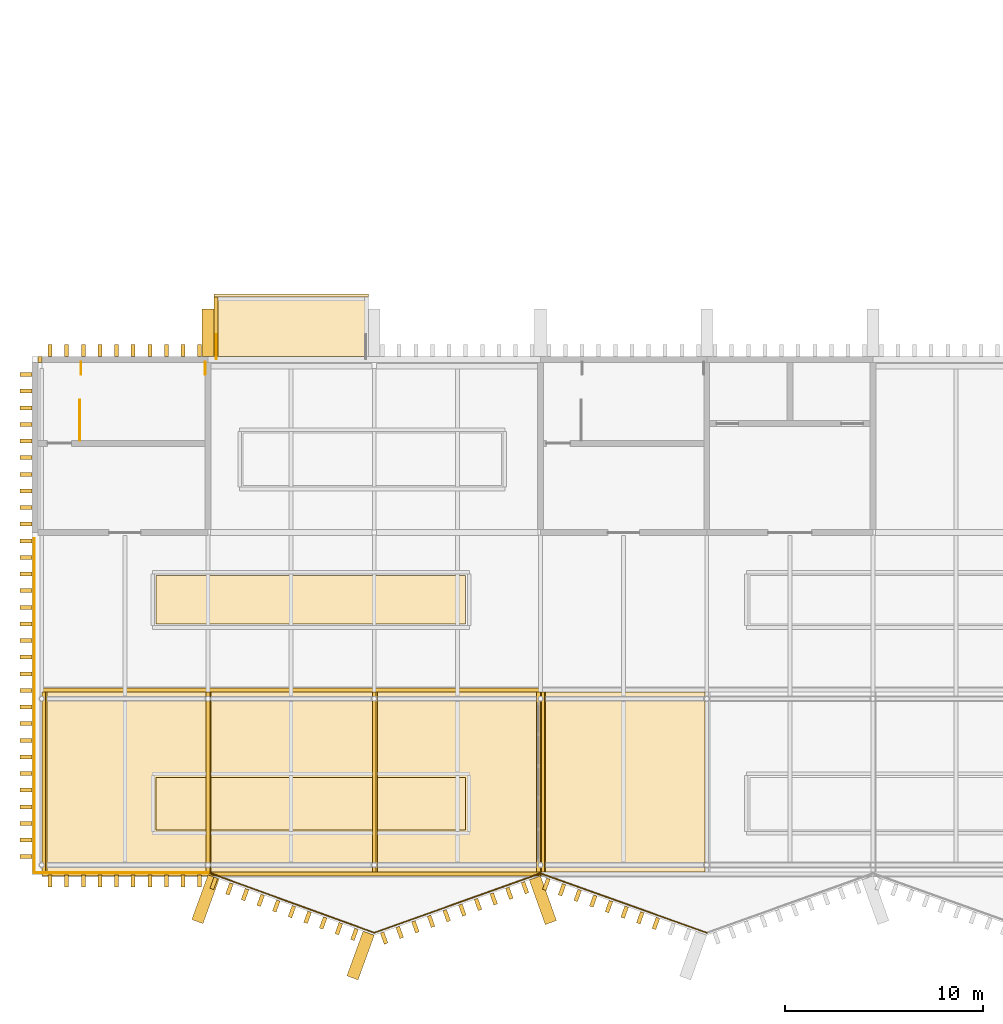
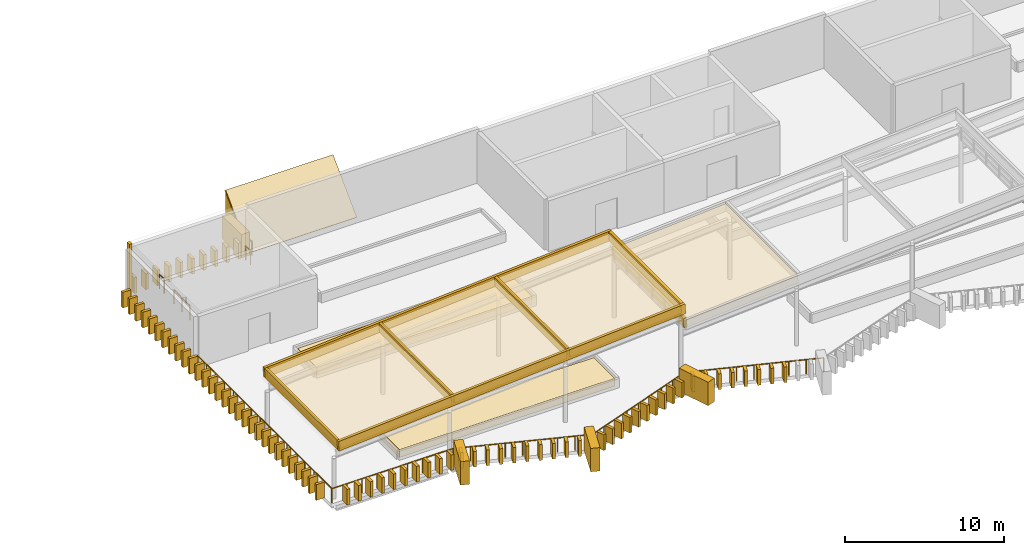
# One storey, part 43 of 51: 98 coverings, 9 railings.
"""IFC4 building model written with IfcOpenShell, lengths in metres."""

from ifc_helpers import new_model, si_unit, direction, frame, origin, origin_2d, place, context, subcontext, project, spatial, polyline, rectangle, circle, outline, extrude, material, layer, layer_set, type_object, element, save


model = new_model("IFC4")

# Units and contexts
model_context = context("Model", 3, precision=1e-05, world=origin(), true_north=direction((0.0, 1.0)))
body_context = subcontext(model_context, "Body", "Model", "MODEL_VIEW")
ifc_project = project(units=[si_unit("LENGTHUNIT", "METRE"), si_unit("AREAUNIT", "SQUARE_METRE"), si_unit("VOLUMEUNIT", "CUBIC_METRE"), si_unit("PLANEANGLEUNIT", "RADIAN"), si_unit("MASSUNIT", "GRAM", prefix="KILO")], contexts=[model_context])

# Site, building, storey
site_placement = place(None, origin())
site = spatial("IfcSite", under=ifc_project, at=site_placement, CompositionType="ELEMENT")
building_placement = place(site_placement, origin())
building = spatial("IfcBuilding", under=site, at=building_placement, Name="Cresset Court Congress Hotel", CompositionType="ELEMENT")
storey_placement = place(building_placement, frame((0.0, 0.0, 18.60009765625)))
storey = spatial("IfcBuildingStorey", under=building, at=storey_placement, Name="L04", CompositionType="ELEMENT", Elevation=18.60009765625)

# Railings
ifc_material_1 = material(Name="Steel and laminated glass", Category="steel")
railing_type_1 = type_object("IfcRailingType", Name="Guard 1100 steel and glass", PredefinedType="GUARDRAIL", material=ifc_material_1)
for number, where, name in (
    (1, (16.64990234375, 24.800048828125, 0.0), "Roof stair well guard 1"),
    (2, (10.380859375, 24.800048828125, 0.0), "Roof stair well guard 2"),
):
    element("IfcRailing", number, at=place(storey_placement, frame(where)), inside=storey, type_object=railing_type_1, Name=name, PredefinedType="GUARDRAIL", context=body_context, shape_type="SweptSolid", body=[
        extrude(circle(Radius=0.02392578125, at=origin_2d()), frame((0.0, 0.0, 1.076171875), z_axis=(0.0, 1.0, 0.0), x_axis=(-1.0, 0.0, 0.0)), (0.0, 0.0, 1.0), 0.599853515625),
        extrude(circle(Radius=0.02099609375, at=origin_2d()), origin(), (0.0, 0.0, 1.0), 1.052001953125),
        extrude(circle(Radius=0.02099609375, at=origin_2d()), frame((0.0, 0.599853515625, 0.0)), (0.0, 0.0, 1.0), 1.052001953125),
    ])
railing_1_placement = place(storey_placement, frame((10.330078125, 21.449951171875, 0.0)))
element("IfcRailing", 3, at=railing_1_placement, inside=storey, type_object=railing_type_1, Name="L04 ST-B1 top well guard 1", PredefinedType="GUARDRAIL", context=body_context, shape_type="SweptSolid", body=[
    extrude(circle(Radius=0.02392578125, at=origin_2d()), frame((0.0, 0.0, 1.076171875), z_axis=(0.0, 1.0, 0.0), x_axis=(-1.0, 0.0, 0.0)), (0.0, 0.0, 1.0), 2.050048828125),
    extrude(circle(Radius=0.02099609375, at=origin_2d()), origin(), (0.0, 0.0, 1.0), 1.052001953125),
    extrude(circle(Radius=0.02099609375, at=origin_2d()), frame((0.0, 1.02490234375, 0.0)), (0.0, 0.0, 1.0), 1.052001953125),
    extrude(circle(Radius=0.02099609375, at=origin_2d()), frame((0.0, 2.050048828125, 0.0)), (0.0, 0.0, 1.0), 1.052001953125),
])
ifc_material_2 = material(Name="Steel and laminated glass", Category="steel")
railing_type_2 = type_object("IfcRailingType", Name="Guard 1100 steel and glass external", PredefinedType="GUARDRAIL", material=ifc_material_2)
railing_2_placement = place(storey_placement, frame((42.0, -3.422607421875, 0.0)))
element("IfcRailing", 4, at=railing_2_placement, inside=storey, type_object=railing_type_2, Name="Roof garden guard 14", PredefinedType="GUARDRAIL", context=body_context, shape_type="SweptSolid", body=[
    extrude(circle(Radius=0.02392578125, at=origin_2d()), frame((0.0, 0.0, 1.076171875), z_axis=(-0.941740673063, 0.336339864867, 0.0), x_axis=(-0.336339864867, -0.941740673063, 0.0)), (0.0, 0.0, 1.0), 8.91943359375),
    extrude(circle(Radius=0.02099609375, at=origin_2d()), origin(), (0.0, 0.0, 1.0), 1.052001953125),
    extrude(circle(Radius=0.02099609375, at=origin_2d()), frame((-1.050048828125, 0.375, 0.0)), (0.0, 0.0, 1.0), 1.052001953125),
    extrude(circle(Radius=0.02099609375, at=origin_2d()), frame((-2.10009765625, 0.75, 0.0)), (0.0, 0.0, 1.0), 1.052001953125),
    extrude(circle(Radius=0.02099609375, at=origin_2d()), frame((-3.14990234375, 1.125, 0.0)), (0.0, 0.0, 1.0), 1.052001953125),
    extrude(circle(Radius=0.02099609375, at=origin_2d()), frame((-4.199951171875, 1.5, 0.0)), (0.0, 0.0, 1.0), 1.052001953125),
    extrude(circle(Radius=0.02099609375, at=origin_2d()), frame((-5.25, 1.875, 0.0)), (0.0, 0.0, 1.0), 1.052001953125),
    extrude(circle(Radius=0.02099609375, at=origin_2d()), frame((-6.2998046875, 2.25, 0.0)), (0.0, 0.0, 1.0), 1.052001953125),
    extrude(circle(Radius=0.02099609375, at=origin_2d()), frame((-7.349853515625, 2.625, 0.0)), (0.0, 0.0, 1.0), 1.052001953125),
    extrude(circle(Radius=0.02099609375, at=origin_2d()), frame((-8.39990234375, 3.0, 0.0)), (0.0, 0.0, 1.0), 1.052001953125),
])
railing_3_placement = place(storey_placement, frame((33.60009765625, -0.422607421875, 0.0)))
element("IfcRailing", 5, at=railing_3_placement, inside=storey, type_object=railing_type_2, Name="Roof garden guard 15", PredefinedType="GUARDRAIL", context=body_context, shape_type="SweptSolid", body=[
    extrude(circle(Radius=0.02392578125, at=origin_2d()), frame((0.0, 0.0, 1.076171875), z_axis=(-0.941746246507, -0.336324258998, 0.0), x_axis=(0.336324258998, -0.941746246507, 0.0)), (0.0, 0.0, 1.0), 8.919189453125),
    extrude(circle(Radius=0.02099609375, at=origin_2d()), origin(), (0.0, 0.0, 1.0), 1.052001953125),
    extrude(circle(Radius=0.02099609375, at=origin_2d()), frame((-1.050048828125, -0.375, 0.0)), (0.0, 0.0, 1.0), 1.052001953125),
    extrude(circle(Radius=0.02099609375, at=origin_2d()), frame((-2.099853515625, -0.75, 0.0)), (0.0, 0.0, 1.0), 1.052001953125),
    extrude(circle(Radius=0.02099609375, at=origin_2d()), frame((-3.14990234375, -1.125, 0.0)), (0.0, 0.0, 1.0), 1.052001953125),
    extrude(circle(Radius=0.02099609375, at=origin_2d()), frame((-4.19970703125, -1.5, 0.0)), (0.0, 0.0, 1.0), 1.052001953125),
    extrude(circle(Radius=0.02099609375, at=origin_2d()), frame((-5.249755859375, -1.874755859375, 0.0)), (0.0, 0.0, 1.0), 1.052001953125),
    extrude(circle(Radius=0.02099609375, at=origin_2d()), frame((-6.2998046875, -2.249755859375, 0.0)), (0.0, 0.0, 1.0), 1.052001953125),
    extrude(circle(Radius=0.02099609375, at=origin_2d()), frame((-7.349609375, -2.624755859375, 0.0)), (0.0, 0.0, 1.0), 1.052001953125),
    extrude(circle(Radius=0.02099609375, at=origin_2d()), frame((-8.399658203125, -2.999755859375, 0.0)), (0.0, 0.0, 1.0), 1.052001953125),
])
railing_4_placement = place(storey_placement, frame((25.200439453125, -3.42236328125, 0.0)))
element("IfcRailing", 6, at=railing_4_placement, inside=storey, type_object=railing_type_2, Name="Roof garden guard 16", PredefinedType="GUARDRAIL", context=body_context, shape_type="SweptSolid", body=[
    extrude(circle(Radius=0.02392578125, at=origin_2d()), frame((0.0, 0.0, 1.076171875), z_axis=(-0.939958032876, 0.341290047366, 0.0), x_axis=(-0.341290047366, -0.939958032876, 0.0)), (0.0, 0.0, 1.0), 8.91455078125),
    extrude(circle(Radius=0.02099609375, at=origin_2d()), origin(), (0.0, 0.0, 1.0), 1.052001953125),
    extrude(circle(Radius=0.02099609375, at=origin_2d()), frame((-1.04736328125, 0.38037109375, 0.0)), (0.0, 0.0, 1.0), 1.052001953125),
    extrude(circle(Radius=0.02099609375, at=origin_2d()), frame((-2.0947265625, 0.7607421875, 0.0)), (0.0, 0.0, 1.0), 1.052001953125),
    extrude(circle(Radius=0.02099609375, at=origin_2d()), frame((-3.142333984375, 1.140869140625, 0.0)), (0.0, 0.0, 1.0), 1.052001953125),
    extrude(circle(Radius=0.02099609375, at=origin_2d()), frame((-4.189697265625, 1.521240234375, 0.0)), (0.0, 0.0, 1.0), 1.052001953125),
    extrude(circle(Radius=0.02099609375, at=origin_2d()), frame((-5.237060546875, 1.901611328125, 0.0)), (0.0, 0.0, 1.0), 1.052001953125),
    extrude(circle(Radius=0.02099609375, at=origin_2d()), frame((-6.28466796875, 2.28173828125, 0.0)), (0.0, 0.0, 1.0), 1.052001953125),
    extrude(circle(Radius=0.02099609375, at=origin_2d()), frame((-7.33203125, 2.662109375, 0.0)), (0.0, 0.0, 1.0), 1.052001953125),
    extrude(circle(Radius=0.02099609375, at=origin_2d()), frame((-8.37939453125, 3.04248046875, 0.0)), (0.0, 0.0, 1.0), 1.052001953125),
])
railing_5_placement = place(storey_placement, frame((8.02001953125, -0.3798828125, 0.0)))
element("IfcRailing", 7, at=railing_5_placement, inside=storey, type_object=railing_type_2, Name="Roof garden guard 17", PredefinedType="GUARDRAIL", context=body_context, shape_type="SweptSolid", body=[
    extrude(circle(Radius=0.02392578125, at=origin_2d()), frame((0.0, 0.0, 1.076171875), z_axis=(1.0, 0.0, 0.0), x_axis=(0.0, 1.0, 0.0)), (0.0, 0.0, 1.0), 8.801025390625),
    extrude(circle(Radius=0.02099609375, at=origin_2d()), origin(), (0.0, 0.0, 1.0), 1.052001953125),
    extrude(circle(Radius=0.02099609375, at=origin_2d()), frame((1.10009765625, 0.0, 0.0)), (0.0, 0.0, 1.0), 1.052001953125),
    extrude(circle(Radius=0.02099609375, at=origin_2d()), frame((2.2001953125, 0.0, 0.0)), (0.0, 0.0, 1.0), 1.052001953125),
    extrude(circle(Radius=0.02099609375, at=origin_2d()), frame((3.30029296875, 0.0, 0.0)), (0.0, 0.0, 1.0), 1.052001953125),
    extrude(circle(Radius=0.02099609375, at=origin_2d()), frame((4.400390625, 0.0, 0.0)), (0.0, 0.0, 1.0), 1.052001953125),
    extrude(circle(Radius=0.02099609375, at=origin_2d()), frame((5.500732421875, 0.0, 0.0)), (0.0, 0.0, 1.0), 1.052001953125),
    extrude(circle(Radius=0.02099609375, at=origin_2d()), frame((6.600830078125, 0.0, 0.0)), (0.0, 0.0, 1.0), 1.052001953125),
    extrude(circle(Radius=0.02099609375, at=origin_2d()), frame((7.700927734375, 0.0, 0.0)), (0.0, 0.0, 1.0), 1.052001953125),
    extrude(circle(Radius=0.02099609375, at=origin_2d()), frame((8.801025390625, 0.0, 0.0)), (0.0, 0.0, 1.0), 1.052001953125),
])
railing_6_placement = place(storey_placement, frame((8.02001953125, -0.3798828125, 0.0)))
element("IfcRailing", 8, at=railing_6_placement, inside=storey, type_object=railing_type_2, Name="Roof garden guard 18", PredefinedType="GUARDRAIL", context=body_context, shape_type="SweptSolid", body=[
    extrude(circle(Radius=0.02392578125, at=origin_2d()), frame((0.0, 0.0, 1.076171875), z_axis=(0.0, 1.0, 0.0), x_axis=(-1.0, 0.0, 0.0)), (0.0, 0.0, 1.0), 16.8798828125),
    extrude(circle(Radius=0.02099609375, at=origin_2d()), origin(), (0.0, 0.0, 1.0), 1.052001953125),
    extrude(circle(Radius=0.02099609375, at=origin_2d()), frame((0.0, 1.125244140625, 0.0)), (0.0, 0.0, 1.0), 1.052001953125),
    extrude(circle(Radius=0.02099609375, at=origin_2d()), frame((0.0, 2.250732421875, 0.0)), (0.0, 0.0, 1.0), 1.052001953125),
    extrude(circle(Radius=0.02099609375, at=origin_2d()), frame((0.0, 3.3759765625, 0.0)), (0.0, 0.0, 1.0), 1.052001953125),
    extrude(circle(Radius=0.02099609375, at=origin_2d()), frame((0.0, 4.501220703125, 0.0)), (0.0, 0.0, 1.0), 1.052001953125),
    extrude(circle(Radius=0.02099609375, at=origin_2d()), frame((0.0, 5.626708984375, 0.0)), (0.0, 0.0, 1.0), 1.052001953125),
    extrude(circle(Radius=0.02099609375, at=origin_2d()), frame((0.0, 6.751953125, 0.0)), (0.0, 0.0, 1.0), 1.052001953125),
    extrude(circle(Radius=0.02099609375, at=origin_2d()), frame((0.0, 7.877197265625, 0.0)), (0.0, 0.0, 1.0), 1.052001953125),
    extrude(circle(Radius=0.02099609375, at=origin_2d()), frame((0.0, 9.002685546875, 0.0)), (0.0, 0.0, 1.0), 1.052001953125),
    extrude(circle(Radius=0.02099609375, at=origin_2d()), frame((0.0, 10.1279296875, 0.0)), (0.0, 0.0, 1.0), 1.052001953125),
    extrude(circle(Radius=0.02099609375, at=origin_2d()), frame((0.0, 11.253173828125, 0.0)), (0.0, 0.0, 1.0), 1.052001953125),
    extrude(circle(Radius=0.02099609375, at=origin_2d()), frame((0.0, 12.378662109375, 0.0)), (0.0, 0.0, 1.0), 1.052001953125),
    extrude(circle(Radius=0.02099609375, at=origin_2d()), frame((0.0, 13.50390625, 0.0)), (0.0, 0.0, 1.0), 1.052001953125),
    extrude(circle(Radius=0.02099609375, at=origin_2d()), frame((0.0, 14.629150390625, 0.0)), (0.0, 0.0, 1.0), 1.052001953125),
    extrude(circle(Radius=0.02099609375, at=origin_2d()), frame((0.0, 15.754638671875, 0.0)), (0.0, 0.0, 1.0), 1.052001953125),
    extrude(circle(Radius=0.02099609375, at=origin_2d()), frame((0.0, 16.8798828125, 0.0)), (0.0, 0.0, 1.0), 1.052001953125),
])
railing_7_placement = place(storey_placement, frame((17.219970703125, 25.580078125, 0.0)))
element("IfcRailing", 9, at=railing_7_placement, inside=storey, type_object=railing_type_2, Name="Roof garden guard 19", PredefinedType="GUARDRAIL", context=body_context, shape_type="SweptSolid", body=[
    extrude(circle(Radius=0.02392578125, at=origin_2d()), frame((0.0, 0.0, 1.076171875), z_axis=(0.0, 1.0, 0.0), x_axis=(-1.0, 0.0, 0.0)), (0.0, 0.0, 1.0), 1.219970703125),
    extrude(circle(Radius=0.02099609375, at=origin_2d()), origin(), (0.0, 0.0, 1.0), 1.052001953125),
    extrude(circle(Radius=0.02099609375, at=origin_2d()), frame((0.0, 0.60986328125, 0.0)), (0.0, 0.0, 1.0), 1.052001953125),
    extrude(circle(Radius=0.02099609375, at=origin_2d()), frame((0.0, 1.219970703125, 0.0)), (0.0, 0.0, 1.0), 1.052001953125),
])

# Coverings
ifc_material_3 = material(Name="Concrete C50", Category="concrete")
ifc_layer_1 = layer(ifc_material_3, 0.199951171875)
ifc_layer_set_1 = layer_set([ifc_layer_1], Name="Planter edge 200 precast")
covering_type_1 = type_object("IfcCoveringType", Name="Planter edge 200 precast", PredefinedType="USERDEFINED", material=ifc_layer_set_1)
for number, where, z_axis, x_axis, name in (
    (10, (8.39990234375, -0.550048828125, 4.64990234375), (-0.06982528079, 0.0, 0.997559236418), (0.997559236418, 0.0, 0.06982528079), "Planter edge plate 1 S"),
    (11, (8.39990234375, 8.75, 4.64990234375), (-0.06982528079, 0.0, 0.997559236418), (0.997559236418, 0.0, 0.06982528079), "Planter edge plate 1 N"),
):
    element("IfcCovering", number, at=place(storey_placement, frame(where, z_axis=z_axis, x_axis=x_axis)), inside=storey, type_object=covering_type_1, Name=name, ObjectType="PLANTER EDGE", PredefinedType="USERDEFINED", context=body_context, shape_type="SweptSolid", body=[
        extrude(outline(polyline([(0.0, 0.0), (25.261853524599605, 0.0), (25.261853524599605, 0.19995117187500006), (0.0, 0.19995117187500006), (0.0, 0.0)])), origin(), (0.0, 0.0, -1.0), 0.75),
    ])
covering_1_placement = place(storey_placement, frame((8.39990234375, -0.35009765625, 4.64990234375), z_axis=(-0.069344861726, 0.0, 0.997592747644), x_axis=(0.997592747644, 0.0, 0.069344861726)))
element("IfcCovering", 12, at=covering_1_placement, inside=storey, type_object=covering_type_1, Name="Planter edge plate 1 line 1", ObjectType="PLANTER EDGE", PredefinedType="USERDEFINED", context=body_context, shape_type="SweptSolid", body=[
    extrude(outline(polyline([(0.0, 0.0), (0.20067839604164647, 0.0), (0.20067839604164647, 9.100097656250002), (0.0, 9.100097656250002), (0.0, 0.0)])), origin(), (0.0, 0.0, -1.0), 0.75),
])
covering_2_placement = place(storey_placement, frame((16.699951171875, -0.35009765625, 5.23095703125), z_axis=(-0.069429123991, 0.0, 0.997586886813), x_axis=(0.997586886813, 0.0, 0.069429123991)))
element("IfcCovering", 13, at=covering_2_placement, inside=storey, type_object=covering_type_1, Name="Planter edge plate 1 line 2", ObjectType="PLANTER EDGE", PredefinedType="USERDEFINED", context=body_context, shape_type="SweptSolid", body=[
    extrude(outline(polyline([(0.0, 0.0), (0.2004348438397402, 0.0), (0.2004348438397402, 9.10009765625), (0.0, 9.10009765625), (0.0, 0.0)])), origin(), (0.0, 0.0, -1.0), 0.75),
])
covering_3_placement = place(storey_placement, frame((25.10009765625, -0.35009765625, 5.81884765625), z_axis=(-0.070641152636, 0.0, 0.997501793259), x_axis=(0.997501793259, 0.0, 0.070641152636)))
element("IfcCovering", 14, at=covering_3_placement, inside=storey, type_object=covering_type_1, Name="Planter edge plate 1 line 3", ObjectType="PLANTER EDGE", PredefinedType="USERDEFINED", context=body_context, shape_type="SweptSolid", body=[
    extrude(outline(polyline([(0.0, 0.0), (0.2004519422684904, 0.0), (0.2004519422684904, 9.10009765625), (0.0, 9.10009765625), (0.0, 0.0)])), origin(), (0.0, 0.0, -1.0), 0.75),
])
covering_4_placement = place(storey_placement, frame((33.39990234375, -0.35009765625, 6.39990234375), z_axis=(-0.069344861726, 0.0, 0.997592747644), x_axis=(0.997592747644, 0.0, 0.069344861726)))
element("IfcCovering", 15, at=covering_4_placement, inside=storey, type_object=covering_type_1, Name="Planter edge plate 1 line 4", ObjectType="PLANTER EDGE", PredefinedType="USERDEFINED", context=body_context, shape_type="SweptSolid", body=[
    extrude(outline(polyline([(0.0, 0.0), (0.20067839604164647, 0.0), (0.20067839604164647, 9.100097656250002), (0.0, 9.100097656250002), (0.0, 0.0)])), origin(), (0.0, 0.0, -1.0), 0.75),
])
covering_5_placement = place(storey_placement, frame((33.60009765625, -0.35009765625, 5.14990234375), z_axis=(-0.069429123991, 0.0, 0.997586886813), x_axis=(0.997586886813, 0.0, 0.069429123991)))
element("IfcCovering", 16, at=covering_5_placement, inside=storey, type_object=covering_type_1, Name="Planter edge plate 2 line 1", ObjectType="PLANTER EDGE", PredefinedType="USERDEFINED", context=body_context, shape_type="SweptSolid", body=[
    extrude(outline(polyline([(0.0, 0.0), (0.2004348438397402, 0.0), (0.2004348438397402, 9.10009765625), (0.0, 9.10009765625), (0.0, 0.0)])), origin(), (0.0, 0.0, -1.0), 0.75),
])
ifc_material_4 = material(Name="Planting soil")
ifc_layer_2 = layer(ifc_material_4, 0.60009765625)
ifc_layer_set_2 = layer_set([ifc_layer_2], Name="Planter soil bed 600")
covering_type_2 = type_object("IfcCoveringType", Name="Planter soil bed 600", PredefinedType="FLOORING", material=ifc_layer_set_2)
covering_6_placement = place(storey_placement, frame((8.60009765625, -0.35009765625, 4.513916015625), z_axis=(-0.069817458428, 0.0, 0.997559783922), x_axis=(0.997559783922, 0.0, 0.069817458428)))
element("IfcCovering", 17, at=covering_6_placement, inside=storey, type_object=covering_type_2, Name="Planting bed plate 1 bay 1", PredefinedType="FLOORING", context=body_context, shape_type="SweptSolid", body=[
    extrude(outline(polyline([(0.0, 0.0), (8.119667258215932, 0.0), (8.119667258215932, 9.10009765625), (0.0, 9.10009765625), (0.0, 0.0)])), origin(), (0.0, 0.0, -1.0), 0.60009765625),
])
covering_7_placement = place(storey_placement, frame((16.89990234375, -0.35009765625, 5.094970703125), z_axis=(-0.069824398891, 0.0, 0.997559298147), x_axis=(0.997559298147, 0.0, 0.069824398891)))
element("IfcCovering", 18, at=covering_7_placement, inside=storey, type_object=covering_type_2, Name="Planting bed plate 1 bay 2", PredefinedType="FLOORING", context=body_context, shape_type="SweptSolid", body=[
    extrude(outline(polyline([(0.0, 0.0), (8.220258512684024, 0.0), (8.220258512684024, 9.100097656249998), (0.0, 9.100097656249998), (0.0, 0.0)])), origin(), (0.0, 0.0, -1.0), 0.60009765625),
])
covering_8_placement = place(storey_placement, frame((25.300048828125, -0.35009765625, 5.682861328125), z_axis=(-0.06984737958, 0.0, 0.997557689342), x_axis=(0.997557689342, 0.0, 0.06984737958)))
element("IfcCovering", 19, at=covering_8_placement, inside=storey, type_object=covering_type_2, Name="Planting bed plate 1 bay 3", PredefinedType="FLOORING", context=body_context, shape_type="SweptSolid", body=[
    extrude(outline(polyline([(0.0, 0.0), (8.119684307146356, 0.0), (8.119684307146356, 9.10009765625), (0.0, 9.10009765625), (0.0, 0.0)])), origin(), (0.0, 0.0, -1.0), 0.60009765625),
])
covering_9_placement = place(storey_placement, frame((33.800048828125, -0.35009765625, 5.013916015625), z_axis=(-0.069817458428, 0.0, 0.997559783922), x_axis=(0.997559783922, 0.0, 0.069817458428)))
element("IfcCovering", 20, at=covering_9_placement, inside=storey, type_object=covering_type_2, Name="Planting bed plate 2 bay 1", PredefinedType="FLOORING", context=body_context, shape_type="SweptSolid", body=[
    extrude(outline(polyline([(0.0, 0.0), (8.119667258215932, 0.0), (8.119667258215932, 9.10009765625), (0.0, 9.10009765625), (0.0, 0.0)])), origin(), (0.0, 0.0, -1.0), 0.60009765625),
])
covering_10_placement = place(storey_placement, origin())
element("IfcCovering", 21, at=covering_10_placement, inside=storey, type_object=covering_type_2, Name="Planting bed 1", PredefinedType="FLOORING", context=body_context, shape_type="SweptSolid", body=[
    extrude(outline(polyline([(14.179931640625, 1.780029296875), (29.820068359375, 1.780029296875), (29.820068359375, 4.419921875), (14.179931640625, 4.419921875), (14.179931640625, 1.780029296875)])), origin(), (0.0, 0.0, 1.0), 0.599853515625),
])
covering_11_placement = place(storey_placement, origin())
element("IfcCovering", 22, at=covering_11_placement, inside=storey, type_object=covering_type_2, Name="Planting bed 5", PredefinedType="FLOORING", context=body_context, shape_type="SweptSolid", body=[
    extrude(outline(polyline([(14.179931640625, 12.179931640625), (29.820068359375, 12.179931640625), (29.820068359375, 14.6201171875), (14.179931640625, 14.6201171875), (14.179931640625, 12.179931640625)])), origin(), (0.0, 0.0, 1.0), 0.599853515625),
])
ifc_material_5 = material(Name="Precast concrete C50", Category="concrete")
covering_type_3 = type_object("IfcCoveringType", Name="Precast stone fin 200x600 variant 1", PredefinedType="CLADDING", material=ifc_material_5)
for number, where, z_axis, x_axis, name in (
    (23, (17.09228515625, -0.92529296875, 0.0), (0.0, 0.0, 1.0), (0.939956783309, -0.341293488819, 0.0), "Fin S04-010"),
    (24, (17.8818359375, -1.2119140625, 0.0), (0.0, 0.0, 1.0), (0.939956783309, -0.341293488819, 0.0), "Fin S04-011"),
    (25, (18.671630859375, -1.498779296875, 0.0), (0.0, 0.0, 1.0), (0.939956783309, -0.341293488819, 0.0), "Fin S04-012"),
    (26, (19.461181640625, -1.785400390625, 0.0), (0.0, 0.0, 1.0), (0.939956783309, -0.341293488819, 0.0), "Fin S04-013"),
    (27, (20.250732421875, -2.072021484375, 0.0), (0.0, 0.0, 1.0), (0.939956783309, -0.341293488819, 0.0), "Fin S04-014"),
    (28, (21.040283203125, -2.358642578125, 0.0), (0.0, 0.0, 1.0), (0.939956783309, -0.341293488819, 0.0), "Fin S04-015"),
    (29, (21.829833984375, -2.6455078125, 0.0), (0.0, 0.0, 1.0), (0.939956783309, -0.341293488819, 0.0), "Fin S04-016"),
    (30, (22.619384765625, -2.93212890625, 0.0), (0.0, 0.0, 1.0), (0.939956783309, -0.341293488819, 0.0), "Fin S04-017"),
    (31, (23.408935546875, -3.21875, 0.0), (0.0, 0.0, 1.0), (0.939956783309, -0.341293488819, 0.0), "Fin S04-018"),
    (32, (24.198486328125, -3.505615234375, 0.0), (0.0, 0.0, 1.0), (0.939956783309, -0.341293488819, 0.0), "Fin S04-019"),
    (33, (25.696533203125, -3.691162109375, 0.0), (0.0, 0.0, 1.0), (0.94174205282, 0.336336001568, 0.0), "Fin S04-020"),
    (34, (26.487548828125, -3.40869140625, 0.0), (0.0, 0.0, 1.0), (0.94174205282, 0.336336001568, 0.0), "Fin S04-021"),
    (35, (27.278564453125, -3.126220703125, 0.0), (0.0, 0.0, 1.0), (0.94174205282, 0.336336001568, 0.0), "Fin S04-022"),
    (36, (28.069580078125, -2.84375, 0.0), (0.0, 0.0, 1.0), (0.94174205282, 0.336336001568, 0.0), "Fin S04-023"),
    (37, (28.860595703125, -2.561279296875, 0.0), (0.0, 0.0, 1.0), (0.94174205282, 0.336336001568, 0.0), "Fin S04-024"),
    (38, (29.65185546875, -2.278564453125, 0.0), (0.0, 0.0, 1.0), (0.94174205282, 0.336336001568, 0.0), "Fin S04-025"),
    (39, (30.44287109375, -1.99609375, 0.0), (0.0, 0.0, 1.0), (0.94174205282, 0.336336001568, 0.0), "Fin S04-026"),
    (40, (31.23388671875, -1.713623046875, 0.0), (0.0, 0.0, 1.0), (0.94174205282, 0.336336001568, 0.0), "Fin S04-027"),
    (41, (32.02490234375, -1.43115234375, 0.0), (0.0, 0.0, 1.0), (0.94174205282, 0.336336001568, 0.0), "Fin S04-028"),
    (42, (32.81591796875, -1.1484375, 0.0), (0.0, 0.0, 1.0), (0.94174205282, 0.336336001568, 0.0), "Fin S04-029"),
    (43, (33.89453125, -0.973876953125, 0.0), (0.0, 0.0, 1.0), (0.94174205282, -0.336336001568, 0.0), "Fin S04-030"),
    (44, (34.685791015625, -1.25634765625, 0.0), (0.0, 0.0, 1.0), (0.94174205282, -0.336336001568, 0.0), "Fin S04-031"),
    (45, (35.476806640625, -1.538818359375, 0.0), (0.0, 0.0, 1.0), (0.94174205282, -0.336336001568, 0.0), "Fin S04-032"),
    (46, (36.267822265625, -1.8212890625, 0.0), (0.0, 0.0, 1.0), (0.94174205282, -0.336336001568, 0.0), "Fin S04-033"),
    (47, (37.058837890625, -2.103759765625, 0.0), (0.0, 0.0, 1.0), (0.94174205282, -0.336336001568, 0.0), "Fin S04-034"),
    (48, (37.849853515625, -2.386474609375, 0.0), (0.0, 0.0, 1.0), (0.94174205282, -0.336336001568, 0.0), "Fin S04-035"),
    (49, (38.64111328125, -2.6689453125, 0.0), (0.0, 0.0, 1.0), (0.94174205282, -0.336336001568, 0.0), "Fin S04-036"),
    (50, (39.43212890625, -2.951416015625, 0.0), (0.0, 0.0, 1.0), (0.94174205282, -0.336336001568, 0.0), "Fin S04-037"),
    (51, (8.820068359375, -0.800048828125, 0.0), (0.0, 0.0, 1.0), (1.0, 0.0, 0.0), "Fin S04-000"),
    (52, (9.659912109375, -0.800048828125, 0.0), (0.0, 0.0, 1.0), (1.0, 0.0, 0.0), "Fin S04-001"),
    (53, (10.5, -0.800048828125, 0.0), (0.0, 0.0, 1.0), (1.0, 0.0, 0.0), "Fin S04-002"),
    (54, (11.340087890625, -0.800048828125, 0.0), (0.0, 0.0, 1.0), (1.0, 0.0, 0.0), "Fin S04-003"),
    (55, (12.179931640625, -0.800048828125, 0.0), (0.0, 0.0, 1.0), (1.0, 0.0, 0.0), "Fin S04-004"),
    (56, (13.02001953125, -0.800048828125, 0.0), (0.0, 0.0, 1.0), (1.0, 0.0, 0.0), "Fin S04-005"),
    (57, (13.860107421875, -0.800048828125, 0.0), (0.0, 0.0, 1.0), (1.0, 0.0, 0.0), "Fin S04-006"),
    (58, (14.699951171875, -0.800048828125, 0.0), (0.0, 0.0, 1.0), (1.0, 0.0, 0.0), "Fin S04-007"),
    (59, (15.5400390625, -0.800048828125, 0.0), (0.0, 0.0, 1.0), (1.0, 0.0, 0.0), "Fin S04-008"),
    (60, (16.3798828125, -0.800048828125, 0.0), (0.0, 0.0, 1.0), (1.0, 0.0, 0.0), "Fin S04-009"),
    (61, (8.820068359375, 26.0, 0.0), (0.0, 0.0, 1.0), (1.0, 0.0, 0.0), "Fin N04-000"),
    (62, (9.659912109375, 26.0, 0.0), (0.0, 0.0, 1.0), (1.0, 0.0, 0.0), "Fin N04-001"),
    (63, (10.5, 26.0, 0.0), (0.0, 0.0, 1.0), (1.0, 0.0, 0.0), "Fin N04-002"),
    (64, (11.340087890625, 26.0, 0.0), (0.0, 0.0, 1.0), (1.0, 0.0, 0.0), "Fin N04-003"),
    (65, (12.179931640625, 26.0, 0.0), (0.0, 0.0, 1.0), (1.0, 0.0, 0.0), "Fin N04-004"),
    (66, (13.02001953125, 26.0, 0.0), (0.0, 0.0, 1.0), (1.0, 0.0, 0.0), "Fin N04-005"),
    (67, (13.860107421875, 26.0, 0.0), (0.0, 0.0, 1.0), (1.0, 0.0, 0.0), "Fin N04-006"),
    (68, (14.699951171875, 26.0, 0.0), (0.0, 0.0, 1.0), (1.0, 0.0, 0.0), "Fin N04-007"),
    (69, (15.5400390625, 26.0, 0.0), (0.0, 0.0, 1.0), (1.0, 0.0, 0.0), "Fin N04-008"),
    (70, (16.3798828125, 26.0, 0.0), (0.0, 0.0, 1.0), (1.0, 0.0, 0.0), "Fin N04-009"),
):
    element("IfcCovering", number, at=place(storey_placement, frame(where, z_axis=z_axis, x_axis=x_axis)), inside=storey, type_object=covering_type_3, Name=name, PredefinedType="CLADDING", context=body_context, shape_type="SweptSolid", body=[
        extrude(rectangle(XDim=0.199951171875, YDim=0.60009765625, at=origin_2d()), origin(), (0.0, 0.0, 1.0), 1.199951171875),
    ])
for number, where, z_axis, x_axis, name in (
    (71, (7.60009765625, 0.419921875, 0.0), (0.0, 0.0, 1.0), (1.0, 0.0, 0.0), "Fin W04-000"),
    (72, (7.60009765625, 1.260009765625, 0.0), (0.0, 0.0, 1.0), (1.0, 0.0, 0.0), "Fin W04-001"),
    (73, (7.60009765625, 2.10009765625, 0.0), (0.0, 0.0, 1.0), (1.0, 0.0, 0.0), "Fin W04-002"),
    (74, (7.60009765625, 2.93994140625, 0.0), (0.0, 0.0, 1.0), (1.0, 0.0, 0.0), "Fin W04-003"),
    (75, (7.60009765625, 3.780029296875, 0.0), (0.0, 0.0, 1.0), (1.0, 0.0, 0.0), "Fin W04-004"),
    (76, (7.60009765625, 4.6201171875, 0.0), (0.0, 0.0, 1.0), (1.0, 0.0, 0.0), "Fin W04-005"),
    (77, (7.60009765625, 5.4599609375, 0.0), (0.0, 0.0, 1.0), (1.0, 0.0, 0.0), "Fin W04-006"),
    (78, (7.60009765625, 6.300048828125, 0.0), (0.0, 0.0, 1.0), (1.0, 0.0, 0.0), "Fin W04-007"),
    (79, (7.60009765625, 7.139892578125, 0.0), (0.0, 0.0, 1.0), (1.0, 0.0, 0.0), "Fin W04-008"),
    (80, (7.60009765625, 7.97998046875, 0.0), (0.0, 0.0, 1.0), (1.0, 0.0, 0.0), "Fin W04-009"),
    (81, (7.60009765625, 8.820068359375, 0.0), (0.0, 0.0, 1.0), (1.0, 0.0, 0.0), "Fin W04-010"),
    (82, (7.60009765625, 9.659912109375, 0.0), (0.0, 0.0, 1.0), (1.0, 0.0, 0.0), "Fin W04-011"),
    (83, (7.60009765625, 10.5, 0.0), (0.0, 0.0, 1.0), (1.0, 0.0, 0.0), "Fin W04-012"),
    (84, (7.60009765625, 11.340087890625, 0.0), (0.0, 0.0, 1.0), (1.0, 0.0, 0.0), "Fin W04-013"),
    (85, (7.60009765625, 12.179931640625, 0.0), (0.0, 0.0, 1.0), (1.0, 0.0, 0.0), "Fin W04-014"),
    (86, (7.60009765625, 13.02001953125, 0.0), (0.0, 0.0, 1.0), (1.0, 0.0, 0.0), "Fin W04-015"),
    (87, (7.60009765625, 13.860107421875, 0.0), (0.0, 0.0, 1.0), (1.0, 0.0, 0.0), "Fin W04-016"),
    (88, (7.60009765625, 14.699951171875, 0.0), (0.0, 0.0, 1.0), (1.0, 0.0, 0.0), "Fin W04-017"),
    (89, (7.60009765625, 15.5400390625, 0.0), (0.0, 0.0, 1.0), (1.0, 0.0, 0.0), "Fin W04-018"),
    (90, (7.60009765625, 16.3798828125, 0.0), (0.0, 0.0, 1.0), (1.0, 0.0, 0.0), "Fin W04-019"),
    (91, (7.60009765625, 17.219970703125, 0.0), (0.0, 0.0, 1.0), (1.0, 0.0, 0.0), "Fin W04-020"),
    (92, (7.60009765625, 18.06005859375, 0.0), (0.0, 0.0, 1.0), (1.0, 0.0, 0.0), "Fin W04-021"),
    (93, (7.60009765625, 18.89990234375, 0.0), (0.0, 0.0, 1.0), (1.0, 0.0, 0.0), "Fin W04-022"),
    (94, (7.60009765625, 19.739990234375, 0.0), (0.0, 0.0, 1.0), (1.0, 0.0, 0.0), "Fin W04-023"),
    (95, (7.60009765625, 20.580078125, 0.0), (0.0, 0.0, 1.0), (1.0, 0.0, 0.0), "Fin W04-024"),
    (96, (7.60009765625, 21.419921875, 0.0), (0.0, 0.0, 1.0), (1.0, 0.0, 0.0), "Fin W04-025"),
    (97, (7.60009765625, 22.260009765625, 0.0), (0.0, 0.0, 1.0), (1.0, 0.0, 0.0), "Fin W04-026"),
    (98, (7.60009765625, 23.10009765625, 0.0), (0.0, 0.0, 1.0), (1.0, 0.0, 0.0), "Fin W04-027"),
    (99, (7.60009765625, 23.93994140625, 0.0), (0.0, 0.0, 1.0), (1.0, 0.0, 0.0), "Fin W04-028"),
    (100, (7.60009765625, 24.780029296875, 0.0), (0.0, 0.0, 1.0), (1.0, 0.0, 0.0), "Fin W04-029"),
):
    element("IfcCovering", number, at=place(storey_placement, frame(where, z_axis=z_axis, x_axis=x_axis)), inside=storey, type_object=covering_type_3, Name=name, PredefinedType="CLADDING", context=body_context, shape_type="SweptSolid", body=[
        extrude(rectangle(XDim=0.60009765625, YDim=0.199951171875, at=origin_2d()), origin(), (0.0, 0.0, 1.0), 1.199951171875),
    ])
ifc_material_6 = material(Name="Precast concrete C50", Category="concrete")
ifc_layer_3 = layer(ifc_material_6, 0.199951171875)
ifc_layer_set_3 = layer_set([ifc_layer_3], Name="Precast stone hood cheek 200")
covering_type_4 = type_object("IfcCoveringType", Name="Precast stone hood cheek 200", PredefinedType="CLADDING", material=ifc_layer_set_3)
covering_12_placement = place(storey_placement, frame((17.300048828125, 25.699951171875, 0.0), z_axis=(1.0, 0.0, 0.0), x_axis=(0.0, 1.0, 0.0)))
element("IfcCovering", 101, at=covering_12_placement, inside=storey, type_object=covering_type_4, Name="Hood cheek N01a", PredefinedType="CLADDING", context=body_context, shape_type="SweptSolid", body=[
    extrude(outline(polyline([(0.0, 0.0), (3.0, 0.0), (3.0, 3.0), (0.0, 0.0)])), origin(), (0.0, 0.0, -1.0), 0.199951171875),
])
ifc_material_7 = material(Name="Precast concrete C50", Category="concrete")
covering_type_5 = type_object("IfcCoveringType", Name="Precast stone pier 600x2400", PredefinedType="CLADDING", material=ifc_material_7)
for number, where, z_axis, x_axis, name in (
    (102, (24.508544921875, -4.575439453125, 0.0), (0.0, 0.0, 1.0), (0.939956783309, -0.341293488819, 0.0), "Pier S04-02"),
    (103, (16.67236328125, -1.730224609375, 0.0), (0.0, 0.0, 1.0), (0.939956783309, -0.341293488819, 0.0), "Pier S04-01"),
    (104, (33.72119140625, -1.781005859375, 0.0), (0.0, 0.0, 1.0), (0.94174205282, 0.336336001568, 0.0), "Pier S04-03"),
    (105, (16.800048828125, 26.89990234375, 0.0), (0.0, 0.0, 1.0), (1.0, 0.0, 0.0), "Pier N04-01"),
):
    element("IfcCovering", number, at=place(storey_placement, frame(where, z_axis=z_axis, x_axis=x_axis)), inside=storey, type_object=covering_type_5, Name=name, PredefinedType="CLADDING", context=body_context, shape_type="SweptSolid", body=[
        extrude(rectangle(XDim=0.60009765625, YDim=2.39990234375, at=origin_2d()), origin(), (0.0, 0.0, 1.0), 1.800048828125),
    ])
ifc_material_8 = material(Name="Concrete C50", Category="concrete")
ifc_layer_4 = layer(ifc_material_8, 0.300048828125)
ifc_layer_set_4 = layer_set([ifc_layer_4], Name="Precast stone roof screen 300")
covering_type_6 = type_object("IfcCoveringType", Name="Precast stone roof screen 300", PredefinedType="CLADDING", material=ifc_layer_set_4)
covering_13_placement = place(storey_placement, frame((8.300048828125, 25.550048828125, 0.0), z_axis=(0.0, 0.0, 1.0), x_axis=(1.0, 0.0, 0.0)))
element("IfcCovering", 106, at=covering_13_placement, inside=storey, type_object=covering_type_6, Name="Roof screen 1", PredefinedType="CLADDING", context=body_context, shape_type="SweptSolid", body=[
    extrude(rectangle(XDim=0.199951171875, YDim=0.300048828125, at=origin_2d()), origin(), (0.0, 0.0, 1.0), 4.139892578125),
])
ifc_material_9 = material(Name="Titanium-zinc standing seam roof panel")
ifc_layer_5 = layer(ifc_material_9, 0.199951171875)
ifc_layer_set_5 = layer_set([ifc_layer_5], Name="Zinc hood roof plate 200")
covering_type_7 = type_object("IfcCoveringType", Name="Zinc hood roof plate 200", PredefinedType="CLADDING", material=ifc_layer_set_5)
covering_14_placement = place(storey_placement, frame((17.10009765625, 25.699951171875, 0.199951171875), z_axis=(0.0, -0.707106781187, 0.707106781187), x_axis=(1.0, 0.0, 0.0)))
element("IfcCovering", 107, at=covering_14_placement, inside=storey, type_object=covering_type_7, Name="Hood roof N01", PredefinedType="CLADDING", context=body_context, shape_type="SweptSolid", body=[
    extrude(outline(polyline([(0.0, 0.0), (7.7998046875, 0.0), (7.7998046875, 4.242640687119286), (0.0, 4.242640687119286), (0.0, 0.0)])), origin(), (0.0, 0.0, -1.0), 0.199951171875),
])

save(model, "model.ifc")
